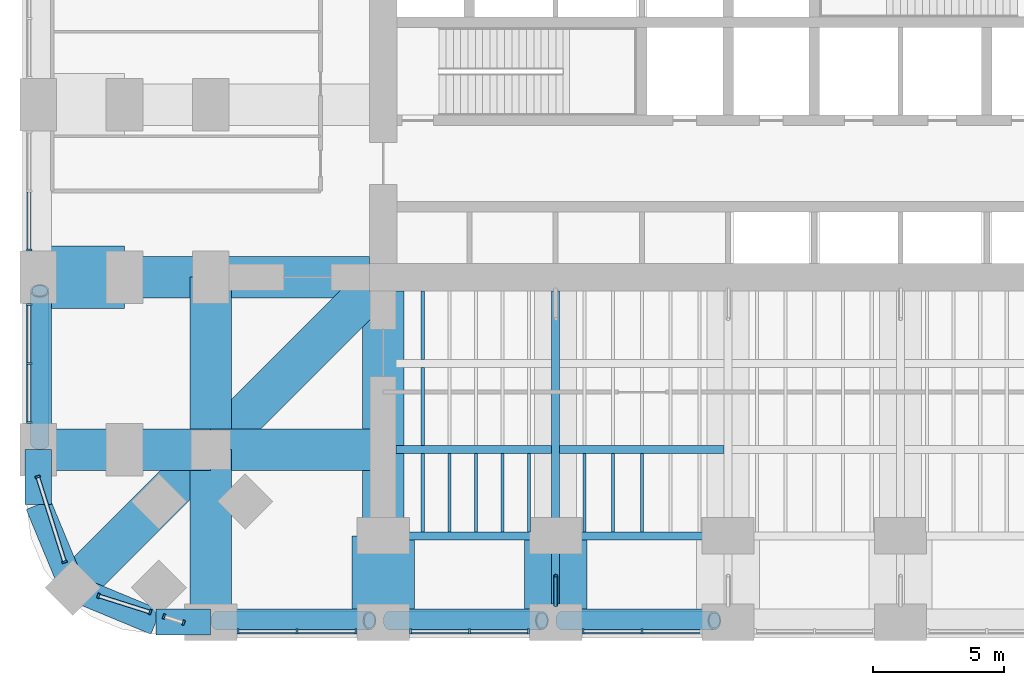
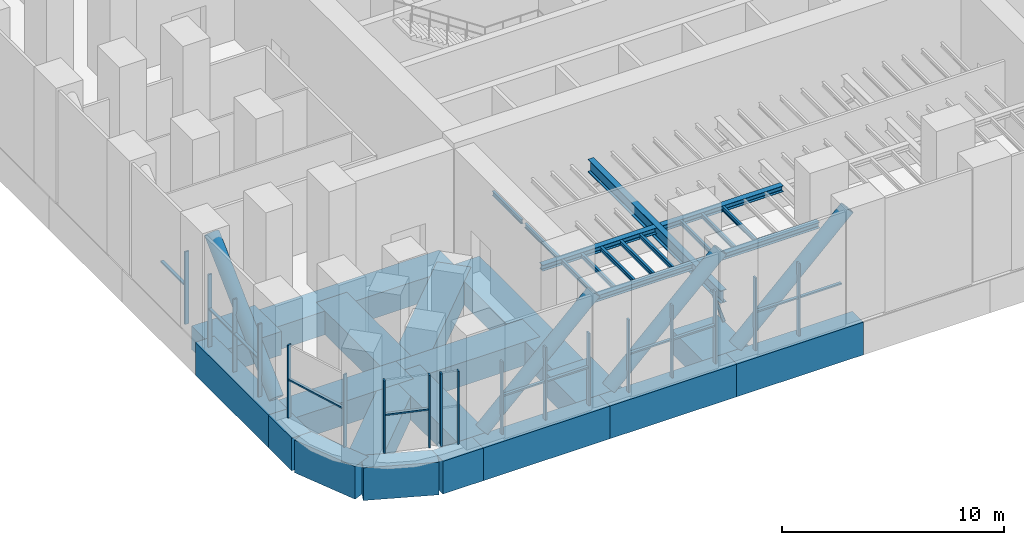
# One storey, part 2 of 17: 34 beams, 34 members, 8 elements without a shape of their own.
"""IFC4 building model written with IfcOpenShell, lengths in metres."""

from ifc_helpers import new_model, si_unit, direction, frame, origin, origin_2d, place, context, subcontext, project, spatial, rectangle, hollow_circle, i_section, extrude, material, material_profile, profile_set, type_object, element, aggregate, save


model = new_model("IFC4")

# Units and contexts
model_context = context("Model", 3, precision=1e-05, world=origin(), true_north=direction((0.0, 1.0)))
body_context = subcontext(model_context, "Body", "Model", "MODEL_VIEW")
ifc_project = project(units=[si_unit("LENGTHUNIT", "METRE"), si_unit("AREAUNIT", "SQUARE_METRE"), si_unit("VOLUMEUNIT", "CUBIC_METRE"), si_unit("PLANEANGLEUNIT", "RADIAN"), si_unit("MASSUNIT", "GRAM", prefix="KILO")], contexts=[model_context])

# Site, building, storey
site_placement = place(None, origin())
site = spatial("IfcSite", under=ifc_project, at=site_placement, CompositionType="ELEMENT")
building_placement = place(site_placement, origin())
building = spatial("IfcBuilding", under=site, at=building_placement, Name="Cobogo Forest Laboratory Tower", CompositionType="ELEMENT")
storey_placement = place(building_placement, frame((0.0, 0.0, 75.89990234375)))
storey = spatial("IfcBuildingStorey", under=building, at=storey_placement, Name="L17", CompositionType="ELEMENT", Elevation=75.89990234375)

# Members
ifc_material_1 = material(Name="Steel S460NH", Category="steel")
ifc_material_profile_1 = material_profile(ifc_material_1, hollow_circle(Radius=0.35546875, WallThickness=0.06005859375, at=origin_2d()), Name="CHS 711x60")
ifc_profile_set_1 = profile_set([ifc_material_profile_1], Name="Steel S460NH")
member_type_1 = type_object("IfcMemberType", Name="Belt truss diagonal CHS 711x60", PredefinedType="BRACE", material=ifc_profile_set_1)
for number, where, z_axis, x_axis, name in (
    (1, (6.85009765625, 0.06005859375, 0.23876953125), (0.723349354665, 0.0, 0.69048223084), (0.0, 1.0, 0.0), "BT1 belt truss diagonal S01 L17"),
    (2, (13.449951171875, 0.06005859375, 0.23876953125), (0.723363796511, 0.0, 0.690467101242), (0.0, 1.0, 0.0), "BT1 belt truss diagonal S02 L17"),
    (3, (20.050048828125, 0.06005859375, 0.23876953125), (0.723349354665, 0.0, 0.69048223084), (0.0, 1.0, 0.0), "BT1 belt truss diagonal S03 L17"),
    (4, (0.06005859375, 6.85009765625, 0.23876953125), (0.0, 0.723349354665, 0.69048223084), (-1.0, 0.0, 0.0), "BT1 belt truss diagonal W19 L17"),
):
    element("IfcMember", number, at=place(storey_placement, frame(where, z_axis=z_axis, x_axis=x_axis)), inside=storey, type_object=member_type_1, Name=name, PredefinedType="BRACE", context=body_context, shape_type="SweptSolid", body=[
        extrude(hollow_circle(Radius=0.35546875, WallThickness=0.06005859375, at=origin_2d()), origin(), (0.0, 0.0, 1.0), 8.0595703125),
    ])

# Curtain wall, members
ifc_material_2 = material(Name="Aluminium curtain wall", Category="aluminium")
curtain_wall_type = type_object("IfcCurtainWallType", Name="CW-P louvred curtain wall, plant floors", PredefinedType="USERDEFINED", material=ifc_material_2)
curtain_wall_1_placement = place(storey_placement, origin())
curtain_wall_1 = element("IfcCurtainWall", 5, at=curtain_wall_1_placement, inside=storey, type_object=curtain_wall_type, Name="Curtain wall 01 L17", ObjectType="LOUVRED CURTAIN WALL", PredefinedType="USERDEFINED")
ifc_material_3 = material(Name="Aluminium mullion", Category="aluminium")
ifc_material_profile_2 = material_profile(ifc_material_3, rectangle(XDim=0.080078125, YDim=0.199951171875, at=origin_2d()), Name="AL 80x200")
ifc_profile_set_2 = profile_set([ifc_material_profile_2], Name="Aluminium mullion")
member_type_2 = type_object("IfcMemberType", Name="MU-3 aluminium louvre mullion 80x200", PredefinedType="MULLION", material=ifc_profile_set_2)
member_1_placement = place(storey_placement, frame((7.639892578125, -0.35009765625, 0.0), z_axis=(0.0, 0.0, 1.0), x_axis=(1.0, 0.0, 0.0)))
member_1 = element("IfcMember", 6, at=member_1_placement, type_object=member_type_2, Name="CW-P mullion 1", PredefinedType="MULLION", context=body_context, shape_type="SweptSolid", body=[
    extrude(rectangle(XDim=0.080078125, YDim=0.199951171875, at=origin_2d()), origin(), (0.0, 0.0, 1.0), 4.0),
])
member_2_placement = place(storey_placement, frame((9.89990234375, -0.35009765625, 0.0), z_axis=(0.0, 0.0, 1.0), x_axis=(1.0, 0.0, 0.0)))
member_2 = element("IfcMember", 7, at=member_2_placement, type_object=member_type_2, Name="CW-P mullion 2", PredefinedType="MULLION", context=body_context, shape_type="SweptSolid", body=[
    extrude(rectangle(XDim=0.080078125, YDim=0.199951171875, at=origin_2d()), origin(), (0.0, 0.0, 1.0), 4.0),
])
member_3_placement = place(storey_placement, frame((12.159912109375, -0.35009765625, 0.0), z_axis=(0.0, 0.0, 1.0), x_axis=(1.0, 0.0, 0.0)))
member_3 = element("IfcMember", 8, at=member_3_placement, type_object=member_type_2, Name="CW-P mullion 3", PredefinedType="MULLION", context=body_context, shape_type="SweptSolid", body=[
    extrude(rectangle(XDim=0.080078125, YDim=0.199951171875, at=origin_2d()), origin(), (0.0, 0.0, 1.0), 4.0),
])

curtain_wall_2_placement = place(storey_placement, origin())
curtain_wall_2 = element("IfcCurtainWall", 9, at=curtain_wall_2_placement, inside=storey, type_object=curtain_wall_type, Name="Curtain wall 02 L17", ObjectType="LOUVRED CURTAIN WALL", PredefinedType="USERDEFINED")
member_4_placement = place(storey_placement, frame((14.239990234375, -0.35009765625, 0.0), z_axis=(0.0, 0.0, 1.0), x_axis=(1.0, 0.0, 0.0)))
member_4 = element("IfcMember", 10, at=member_4_placement, type_object=member_type_2, Name="CW-P mullion 1", PredefinedType="MULLION", context=body_context, shape_type="SweptSolid", body=[
    extrude(rectangle(XDim=0.080078125, YDim=0.199951171875, at=origin_2d()), origin(), (0.0, 0.0, 1.0), 4.0),
])
member_5_placement = place(storey_placement, frame((16.5, -0.35009765625, 0.0), z_axis=(0.0, 0.0, 1.0), x_axis=(1.0, 0.0, 0.0)))
member_5 = element("IfcMember", 11, at=member_5_placement, type_object=member_type_2, Name="CW-P mullion 2", PredefinedType="MULLION", context=body_context, shape_type="SweptSolid", body=[
    extrude(rectangle(XDim=0.080078125, YDim=0.199951171875, at=origin_2d()), origin(), (0.0, 0.0, 1.0), 4.0),
])
member_6_placement = place(storey_placement, frame((18.760009765625, -0.35009765625, 0.0), z_axis=(0.0, 0.0, 1.0), x_axis=(1.0, 0.0, 0.0)))
member_6 = element("IfcMember", 12, at=member_6_placement, type_object=member_type_2, Name="CW-P mullion 3", PredefinedType="MULLION", context=body_context, shape_type="SweptSolid", body=[
    extrude(rectangle(XDim=0.080078125, YDim=0.199951171875, at=origin_2d()), origin(), (0.0, 0.0, 1.0), 4.0),
])

curtain_wall_3_placement = place(storey_placement, origin())
curtain_wall_3 = element("IfcCurtainWall", 13, at=curtain_wall_3_placement, inside=storey, type_object=curtain_wall_type, Name="Curtain wall 03 L17", ObjectType="LOUVRED CURTAIN WALL", PredefinedType="USERDEFINED")
member_7_placement = place(storey_placement, frame((20.840087890625, -0.35009765625, 0.0), z_axis=(0.0, 0.0, 1.0), x_axis=(1.0, 0.0, 0.0)))
member_7 = element("IfcMember", 14, at=member_7_placement, type_object=member_type_2, Name="CW-P mullion 1", PredefinedType="MULLION", context=body_context, shape_type="SweptSolid", body=[
    extrude(rectangle(XDim=0.080078125, YDim=0.199951171875, at=origin_2d()), origin(), (0.0, 0.0, 1.0), 4.0),
])
member_8_placement = place(storey_placement, frame((23.10009765625, -0.35009765625, 0.0), z_axis=(0.0, 0.0, 1.0), x_axis=(1.0, 0.0, 0.0)))
member_8 = element("IfcMember", 15, at=member_8_placement, type_object=member_type_2, Name="CW-P mullion 2", PredefinedType="MULLION", context=body_context, shape_type="SweptSolid", body=[
    extrude(rectangle(XDim=0.080078125, YDim=0.199951171875, at=origin_2d()), origin(), (0.0, 0.0, 1.0), 4.0),
])

# Curtain wall, member
curtain_wall_4_placement = place(storey_placement, origin())
curtain_wall_4 = element("IfcCurtainWall", 16, at=curtain_wall_4_placement, inside=storey, type_object=curtain_wall_type, Name="Curtain wall 30 L17", ObjectType="LOUVRED CURTAIN WALL", PredefinedType="USERDEFINED")
member_9_placement = place(storey_placement, frame((-0.35009765625, 14.239990234375, 0.0), z_axis=(0.0, 0.0, 1.0), x_axis=(0.0, -1.0, 0.0)))
member_9 = element("IfcMember", 17, at=member_9_placement, type_object=member_type_2, Name="CW-P mullion 3", PredefinedType="MULLION", context=body_context, shape_type="SweptSolid", body=[
    extrude(rectangle(XDim=0.080078125, YDim=0.199951171875, at=origin_2d()), origin(), (0.0, 0.0, 1.0), 4.0),
])

# Curtain wall, members
curtain_wall_5_placement = place(storey_placement, origin())
curtain_wall_5 = element("IfcCurtainWall", 18, at=curtain_wall_5_placement, inside=storey, type_object=curtain_wall_type, Name="Curtain wall 31 L17", ObjectType="LOUVRED CURTAIN WALL", PredefinedType="USERDEFINED")
member_10_placement = place(storey_placement, frame((-0.35009765625, 12.159912109375, 0.0), z_axis=(0.0, 0.0, 1.0), x_axis=(0.0, -1.0, 0.0)))
member_10 = element("IfcMember", 19, at=member_10_placement, type_object=member_type_2, Name="CW-P mullion 1", PredefinedType="MULLION", context=body_context, shape_type="SweptSolid", body=[
    extrude(rectangle(XDim=0.080078125, YDim=0.199951171875, at=origin_2d()), origin(), (0.0, 0.0, 1.0), 4.0),
])
member_11_placement = place(storey_placement, frame((-0.35009765625, 9.89990234375, 0.0), z_axis=(0.0, 0.0, 1.0), x_axis=(0.0, -1.0, 0.0)))
member_11 = element("IfcMember", 20, at=member_11_placement, type_object=member_type_2, Name="CW-P mullion 2", PredefinedType="MULLION", context=body_context, shape_type="SweptSolid", body=[
    extrude(rectangle(XDim=0.080078125, YDim=0.199951171875, at=origin_2d()), origin(), (0.0, 0.0, 1.0), 4.0),
])
member_12_placement = place(storey_placement, frame((-0.35009765625, 7.639892578125, 0.0), z_axis=(0.0, 0.0, 1.0), x_axis=(0.0, -1.0, 0.0)))
member_12 = element("IfcMember", 21, at=member_12_placement, type_object=member_type_2, Name="CW-P mullion 3", PredefinedType="MULLION", context=body_context, shape_type="SweptSolid", body=[
    extrude(rectangle(XDim=0.080078125, YDim=0.199951171875, at=origin_2d()), origin(), (0.0, 0.0, 1.0), 4.0),
])

curtain_wall_6_placement = place(storey_placement, origin())
curtain_wall_6 = element("IfcCurtainWall", 22, at=curtain_wall_6_placement, inside=storey, type_object=curtain_wall_type, Name="Curtain wall 32 L17", ObjectType="LOUVRED CURTAIN WALL", PredefinedType="USERDEFINED")
member_13_placement = place(storey_placement, frame((-0.022216796875, 5.561767578125, 0.0), z_axis=(0.0, 0.0, 1.0), x_axis=(0.301135635976, -0.953581317322, 0.0)))
member_13 = element("IfcMember", 23, at=member_13_placement, type_object=member_type_2, Name="CW-P mullion 1", PredefinedType="MULLION", context=body_context, shape_type="SweptSolid", body=[
    extrude(rectangle(XDim=0.080078125, YDim=0.199951171875, at=origin_2d()), origin(), (0.0, 0.0, 1.0), 4.0),
])
member_14_placement = place(storey_placement, frame((1.00732421875, 2.302001953125, 0.0), z_axis=(0.0, 0.0, 1.0), x_axis=(0.301135635976, -0.953581317322, 0.0)))
member_14 = element("IfcMember", 24, at=member_14_placement, type_object=member_type_2, Name="CW-P mullion 2", PredefinedType="MULLION", context=body_context, shape_type="SweptSolid", body=[
    extrude(rectangle(XDim=0.080078125, YDim=0.199951171875, at=origin_2d()), origin(), (0.0, 0.0, 1.0), 4.0),
])

curtain_wall_7_placement = place(storey_placement, origin())
curtain_wall_7 = element("IfcCurtainWall", 25, at=curtain_wall_7_placement, inside=storey, type_object=curtain_wall_type, Name="Curtain wall 33 L17", ObjectType="LOUVRED CURTAIN WALL", PredefinedType="USERDEFINED")
member_15_placement = place(storey_placement, frame((2.302001953125, 1.00732421875, 0.0), z_axis=(0.0, 0.0, 1.0), x_axis=(0.953581348836, -0.301135536184, 0.0)))
member_15 = element("IfcMember", 26, at=member_15_placement, type_object=member_type_2, Name="CW-P mullion 1", PredefinedType="MULLION", context=body_context, shape_type="SweptSolid", body=[
    extrude(rectangle(XDim=0.080078125, YDim=0.199951171875, at=origin_2d()), origin(), (0.0, 0.0, 1.0), 4.0),
])
member_16_placement = place(storey_placement, frame((4.2841796875, 0.38134765625, 0.0), z_axis=(0.0, 0.0, 1.0), x_axis=(0.953581348836, -0.301135536184, 0.0)))
member_16 = element("IfcMember", 27, at=member_16_placement, type_object=member_type_2, Name="CW-P mullion 2", PredefinedType="MULLION", context=body_context, shape_type="SweptSolid", body=[
    extrude(rectangle(XDim=0.080078125, YDim=0.199951171875, at=origin_2d()), origin(), (0.0, 0.0, 1.0), 4.0),
])

curtain_wall_8_placement = place(storey_placement, origin())
curtain_wall_8 = element("IfcCurtainWall", 28, at=curtain_wall_8_placement, inside=storey, type_object=curtain_wall_type, Name="Curtain wall 34 L17", ObjectType="LOUVRED CURTAIN WALL", PredefinedType="USERDEFINED")
member_17_placement = place(storey_placement, frame((4.81005859375, 0.21533203125, 0.0), z_axis=(0.0, 0.0, 1.0), x_axis=(0.953581151143, -0.301136162199, 0.0)))
member_17 = element("IfcMember", 29, at=member_17_placement, type_object=member_type_2, Name="CW-P mullion 1", PredefinedType="MULLION", context=body_context, shape_type="SweptSolid", body=[
    extrude(rectangle(XDim=0.080078125, YDim=0.199951171875, at=origin_2d()), origin(), (0.0, 0.0, 1.0), 4.0),
])
member_18_placement = place(storey_placement, frame((5.561767578125, -0.022216796875, 0.0), z_axis=(0.0, 0.0, 1.0), x_axis=(0.953581151143, -0.301136162199, 0.0)))
member_18 = element("IfcMember", 30, at=member_18_placement, type_object=member_type_2, Name="CW-P mullion 2", PredefinedType="MULLION", context=body_context, shape_type="SweptSolid", body=[
    extrude(rectangle(XDim=0.080078125, YDim=0.199951171875, at=origin_2d()), origin(), (0.0, 0.0, 1.0), 4.0),
])
aggregate(curtain_wall_8, [member_17, member_18])

# Beams
ifc_material_4 = material(Name="Concrete HA-40 (C40/50)", Category="concrete")
ifc_material_profile_3 = material_profile(ifc_material_4, rectangle(XDim=1.60009765625, YDim=1.300048828125, at=origin_2d()), Name="RC 1600x1300")
ifc_profile_set_3 = profile_set([ifc_material_profile_3], Name="Concrete HA-40 (C40/50)")
beam_type_1 = type_object("IfcBeamType", Name="Plant and roof garden wide beam 1600x1300", PredefinedType="BEAM", material=ifc_profile_set_3)
for number, where, z_axis, x_axis, name in (
    (31, (13.199951171875, 12.675048828125, -1.0), (0.0, -1.0, 0.0), (1.0, 0.0, 0.0), "RB4 R-3-S L17"),
    (32, (12.675048828125, 13.199951171875, -1.0), (-1.0, 0.0, 0.0), (0.0, -1.0, 0.0), "RB4 R-C-W L17"),
):
    element("IfcBeam", number, at=place(storey_placement, frame(where, z_axis=z_axis, x_axis=x_axis)), inside=storey, type_object=beam_type_1, Name=name, PredefinedType="BEAM", context=body_context, shape_type="SweptSolid", body=[
        extrude(rectangle(XDim=1.60009765625, YDim=1.300048828125, at=origin_2d()), origin(), (0.0, 0.0, 1.0), 9.375),
    ])
beam_1_placement = place(storey_placement, frame((6.60009765625, 0.0, -1.0), z_axis=(0.0, 1.0, 0.0), x_axis=(-1.0, 0.0, 0.0)))
element("IfcBeam", 33, at=beam_1_placement, inside=storey, type_object=beam_type_1, Name="RB4 G-SW-XF L17", PredefinedType="BEAM", context=body_context, shape_type="SweptSolid", body=[
    extrude(rectangle(XDim=1.60009765625, YDim=1.300048828125, at=origin_2d()), origin(), (0.0, 0.0, 1.0), 6.60009765625),
])
beam_2_placement = place(storey_placement, frame((6.60009765625, 6.60009765625, -1.0), z_axis=(0.0, 1.0, 0.0), x_axis=(-1.0, 0.0, 0.0)))
element("IfcBeam", 34, at=beam_2_placement, inside=storey, type_object=beam_type_1, Name="RB4 G-SW-XC L17", PredefinedType="BEAM", context=body_context, shape_type="SweptSolid", body=[
    extrude(rectangle(XDim=1.60009765625, YDim=1.300048828125, at=origin_2d()), origin(), (0.0, 0.0, 1.0), 6.599853515625),
])
beam_3_placement = place(storey_placement, frame((0.0, 6.60009765625, -1.0), z_axis=(1.0, 0.0, 0.0), x_axis=(0.0, 1.0, 0.0)))
element("IfcBeam", 35, at=beam_3_placement, inside=storey, type_object=beam_type_1, Name="RB4 G-SW-YF L17", PredefinedType="BEAM", context=body_context, shape_type="SweptSolid", body=[
    extrude(rectangle(XDim=1.60009765625, YDim=1.300048828125, at=origin_2d()), origin(), (0.0, 0.0, 1.0), 6.60009765625),
])
beam_4_placement = place(storey_placement, frame((6.60009765625, 6.60009765625, -1.0), z_axis=(1.0, 0.0, 0.0), x_axis=(0.0, 1.0, 0.0)))
element("IfcBeam", 36, at=beam_4_placement, inside=storey, type_object=beam_type_1, Name="RB4 G-SW-YC L17", PredefinedType="BEAM", context=body_context, shape_type="SweptSolid", body=[
    extrude(rectangle(XDim=1.60009765625, YDim=1.300048828125, at=origin_2d()), origin(), (0.0, 0.0, 1.0), 6.599853515625),
])
beam_5_placement = place(storey_placement, frame((1.318115234375, 1.318115234375, -1.0), z_axis=(0.707106781187, 0.707106781187, 0.0), x_axis=(-0.707106781187, 0.707106781187, 0.0)))
element("IfcBeam", 37, at=beam_5_placement, inside=storey, type_object=beam_type_1, Name="RB4 G-SW-D1 L17", PredefinedType="BEAM", context=body_context, shape_type="SweptSolid", body=[
    extrude(rectangle(XDim=1.60009765625, YDim=1.300048828125, at=origin_2d()), origin(), (0.0, 0.0, 1.0), 7.469970703125),
])
beam_6_placement = place(storey_placement, frame((6.60009765625, 6.60009765625, -1.0), z_axis=(0.707106781187, 0.707106781187, 0.0), x_axis=(-0.707106781187, 0.707106781187, 0.0)))
element("IfcBeam", 38, at=beam_6_placement, inside=storey, type_object=beam_type_1, Name="RB4 G-SW-D2 L17", PredefinedType="BEAM", context=body_context, shape_type="SweptSolid", body=[
    extrude(rectangle(XDim=1.60009765625, YDim=1.300048828125, at=origin_2d()), origin(), (0.0, 0.0, 1.0), 8.59130859375),
])
ifc_material_5 = material(Name="Concrete HA-50 (C50/60)", Category="concrete")
ifc_material_profile_4 = material_profile(ifc_material_5, rectangle(XDim=2.39990234375, YDim=1.300048828125, at=origin_2d()), Name="RC 2400x1300")
ifc_profile_set_4 = profile_set([ifc_material_profile_4], Name="Concrete HA-50 (C50/60)")
beam_type_2 = type_object("IfcBeamType", Name="Plant floor end-bay beam 2400x1300", PredefinedType="BEAM", material=ifc_profile_set_4)
for number, where, z_axis, x_axis, name in (
    (39, (13.199951171875, 0.0, -1.0), (0.0, 1.0, 0.0), (-1.0, 0.0, 0.0), "RB6 R-3-S-X L17"),
    (40, (19.800048828125, 0.0, -1.0), (0.0, 1.0, 0.0), (-1.0, 0.0, 0.0), "RB6 R-4-S-X L17"),
    (41, (0.0, 13.199951171875, -1.0), (1.0, 0.0, 0.0), (0.0, 1.0, 0.0), "RB6 R-C-W-X L17"),
):
    element("IfcBeam", number, at=place(storey_placement, frame(where, z_axis=z_axis, x_axis=x_axis)), inside=storey, type_object=beam_type_2, Name=name, PredefinedType="BEAM", context=body_context, shape_type="SweptSolid", body=[
        extrude(rectangle(XDim=2.39990234375, YDim=1.300048828125, at=origin_2d()), origin(), (0.0, 0.0, 1.0), 3.300048828125),
    ])
ifc_material_profile_5 = material_profile(ifc_material_4, rectangle(XDim=1.0, YDim=1.800048828125, at=origin_2d()), Name="RC 1000x1800")
ifc_profile_set_5 = profile_set([ifc_material_profile_5], Name="Concrete HA-40 (C40/50)")
beam_type_3 = type_object("IfcBeamType", Name="Plant floor perimeter girder 1000x1800", PredefinedType="BEAM", material=ifc_profile_set_5)
beam_7_placement = place(storey_placement, frame((6.60009765625, 0.0, -1.25), z_axis=(1.0, 0.0, 0.0), x_axis=(0.0, 1.0, 0.0)))
element("IfcBeam", 42, at=beam_7_placement, inside=storey, type_object=beam_type_3, Name="TG1 E-S1 L17", PredefinedType="BEAM", context=body_context, shape_type="SweptSolid", body=[
    extrude(rectangle(XDim=1.0, YDim=1.800048828125, at=origin_2d()), origin(), (0.0, 0.0, 1.0), 6.599853515625),
])
beam_8_placement = place(storey_placement, frame((13.199951171875, 0.0, -1.25), z_axis=(1.0, 0.0, 0.0), x_axis=(0.0, 1.0, 0.0)))
element("IfcBeam", 43, at=beam_8_placement, inside=storey, type_object=beam_type_3, Name="TG1 E-S2 L17", PredefinedType="BEAM", context=body_context, shape_type="SweptSolid", body=[
    extrude(rectangle(XDim=1.0, YDim=1.800048828125, at=origin_2d()), origin(), (0.0, 0.0, 1.0), 6.60009765625),
])
for number, where, z_axis, x_axis, name in (
    (44, (19.800048828125, 0.0, -1.25), (1.0, 0.0, 0.0), (0.0, 1.0, 0.0), "TG1 E-S3 L17"),
    (45, (0.0, 6.60009765625, -1.25), (0.0, 1.0, 0.0), (-1.0, 0.0, 0.0), "TG1 E-W1 L17"),
):
    element("IfcBeam", number, at=place(storey_placement, frame(where, z_axis=z_axis, x_axis=x_axis)), inside=storey, type_object=beam_type_3, Name=name, PredefinedType="BEAM", context=body_context, shape_type="SweptSolid", body=[
        extrude(rectangle(XDim=1.0, YDim=1.800048828125, at=origin_2d()), origin(), (0.0, 0.0, 1.0), 6.599853515625),
    ])
beam_9_placement = place(storey_placement, frame((6.60009765625, 0.0, -1.25), z_axis=(-1.0, 0.0, 0.0), x_axis=(0.0, -1.0, 0.0)))
element("IfcBeam", 46, at=beam_9_placement, inside=storey, type_object=beam_type_3, Name="TG1 E-SWS1 L17", PredefinedType="BEAM", context=body_context, shape_type="SweptSolid", body=[
    extrude(rectangle(XDim=1.0, YDim=1.800048828125, at=origin_2d()), origin(), (0.0, 0.0, 1.0), 2.10009765625),
])
beam_10_placement = place(storey_placement, frame((4.5, 0.0, -1.25), z_axis=(-0.923865631356, 0.382716990999, 0.0), x_axis=(-0.382716990999, -0.923865631356, 0.0)))
element("IfcBeam", 47, at=beam_10_placement, inside=storey, type_object=beam_type_3, Name="TG1 E-SWS2 L17", PredefinedType="BEAM", context=body_context, shape_type="SweptSolid", body=[
    extrude(rectangle(XDim=1.0, YDim=1.800048828125, at=origin_2d()), origin(), (0.0, 0.0, 1.0), 3.444091796875),
])
beam_11_placement = place(storey_placement, frame((0.0, 6.60009765625, -1.25), z_axis=(0.0, -1.0, 0.0), x_axis=(1.0, 0.0, 0.0)))
element("IfcBeam", 48, at=beam_11_placement, inside=storey, type_object=beam_type_3, Name="TG1 E-SWW1 L17", PredefinedType="BEAM", context=body_context, shape_type="SweptSolid", body=[
    extrude(rectangle(XDim=1.0, YDim=1.800048828125, at=origin_2d()), origin(), (0.0, 0.0, 1.0), 2.10009765625),
])
beam_12_placement = place(storey_placement, frame((0.0, 4.5, -1.25), z_axis=(0.382716990999, -0.923865631356, 0.0), x_axis=(0.923865631356, 0.382716990999, 0.0)))
element("IfcBeam", 49, at=beam_12_placement, inside=storey, type_object=beam_type_3, Name="TG1 E-SWW2 L17", PredefinedType="BEAM", context=body_context, shape_type="SweptSolid", body=[
    extrude(rectangle(XDim=1.0, YDim=1.800048828125, at=origin_2d()), origin(), (0.0, 0.0, 1.0), 3.444091796875),
])

# Member
ifc_material_6 = material(Name="Steel S355", Category="steel")
ifc_material_profile_6 = material_profile(ifc_material_6, hollow_circle(Radius=0.084228515625, WallThickness=0.008056640625, at=origin_2d()), Name="CHS 168.3x8")
ifc_profile_set_6 = profile_set([ifc_material_profile_6], Name="Steel S355")
member_type_3 = type_object("IfcMemberType", Name="Plant knee brace CHS 168.3x8", PredefinedType="BRACE", material=ifc_profile_set_6)
member_19_placement = place(storey_placement, frame((19.800048828125, 0.640380859375, 1.300048828125), z_axis=(0.0, 0.727221301203, 0.686403073329), x_axis=(-1.0, 0.0, 0.0)))
element("IfcMember", 50, at=member_19_placement, inside=storey, type_object=member_type_3, Name="PX1 AHU-S knee brace 4-1 L17", PredefinedType="BRACE", context=body_context, shape_type="SweptSolid", body=[
    extrude(hollow_circle(Radius=0.084228515625, WallThickness=0.008056640625, at=origin_2d()), origin(), (0.0, 0.0, 1.0), 1.56103515625),
])

# Beams
ifc_material_profile_7 = material_profile(ifc_material_6, i_section(OverallWidth=0.300048828125, OverallDepth=0.330078125, WebThickness=0.009521484375, FlangeThickness=0.0166015625, FilletRadius=0.027099609375, at=origin_2d()), Name="HEA 340")
ifc_profile_set_7 = profile_set([ifc_material_profile_7], Name="Steel S355")
beam_type_4 = type_object("IfcBeamType", Name="Plant platform beam HEA 340", PredefinedType="BEAM", material=ifc_profile_set_7)
beam_13_placement = place(storey_placement, frame((13.699951171875, 3.300048828125, 2.835205078125), z_axis=(1.0, 0.0, 0.0), x_axis=(0.0, 1.0, 0.0)))
element("IfcBeam", 51, at=beam_13_placement, inside=storey, type_object=beam_type_4, Name="PB1 AHU-S platform beam 1 at 3300 L17", PredefinedType="BEAM", context=body_context, shape_type="SweptSolid", body=[
    extrude(i_section(OverallWidth=0.300048828125, OverallDepth=0.330078125, WebThickness=0.009521484375, FlangeThickness=0.0166015625, FilletRadius=0.027099609375, at=origin_2d()), origin(), (0.0, 0.0, 1.0), 5.949951171875),
])
beam_14_placement = place(storey_placement, frame((19.949951171875, 3.300048828125, 2.835205078125), z_axis=(1.0, 0.0, 0.0), x_axis=(0.0, 1.0, 0.0)))
element("IfcBeam", 52, at=beam_14_placement, inside=storey, type_object=beam_type_4, Name="PB1 AHU-S platform beam 2 at 3300 L17", PredefinedType="BEAM", context=body_context, shape_type="SweptSolid", body=[
    extrude(i_section(OverallWidth=0.300048828125, OverallDepth=0.330078125, WebThickness=0.009521484375, FlangeThickness=0.0166015625, FilletRadius=0.027099609375, at=origin_2d()), origin(), (0.0, 0.0, 1.0), 6.300048828125),
])
beam_15_placement = place(storey_placement, frame((13.699951171875, 6.60009765625, 2.835205078125), z_axis=(1.0, 0.0, 0.0), x_axis=(0.0, 1.0, 0.0)))
element("IfcBeam", 53, at=beam_15_placement, inside=storey, type_object=beam_type_4, Name="PB1 AHU-S platform beam 1 at 6600 L17", PredefinedType="BEAM", context=body_context, shape_type="SweptSolid", body=[
    extrude(i_section(OverallWidth=0.300048828125, OverallDepth=0.330078125, WebThickness=0.009521484375, FlangeThickness=0.0166015625, FilletRadius=0.027099609375, at=origin_2d()), origin(), (0.0, 0.0, 1.0), 5.949951171875),
])
beam_16_placement = place(storey_placement, frame((19.949951171875, 6.60009765625, 2.835205078125), z_axis=(1.0, 0.0, 0.0), x_axis=(0.0, 1.0, 0.0)))
element("IfcBeam", 54, at=beam_16_placement, inside=storey, type_object=beam_type_4, Name="PB1 AHU-S platform beam 2 at 6600 L17", PredefinedType="BEAM", context=body_context, shape_type="SweptSolid", body=[
    extrude(i_section(OverallWidth=0.300048828125, OverallDepth=0.330078125, WebThickness=0.009521484375, FlangeThickness=0.0166015625, FilletRadius=0.027099609375, at=origin_2d()), origin(), (0.0, 0.0, 1.0), 6.300048828125),
])
ifc_material_profile_8 = material_profile(ifc_material_6, i_section(OverallWidth=0.300048828125, OverallDepth=0.699951171875, WebThickness=0.01708984375, FlangeThickness=0.031982421875, FilletRadius=0.027099609375, at=origin_2d()), Name="HEB 700")
ifc_profile_set_8 = profile_set([ifc_material_profile_8], Name="Steel S355")
beam_type_5 = type_object("IfcBeamType", Name="Plant platform girder HEB 700", PredefinedType="BEAM", material=ifc_profile_set_8)
beam_17_placement = place(storey_placement, frame((19.800048828125, 0.699951171875, 2.650146484375), z_axis=(0.0, 1.0, 0.0), x_axis=(-1.0, 0.0, 0.0)))
element("IfcBeam", 55, at=beam_17_placement, inside=storey, type_object=beam_type_5, Name="PG1 AHU-S girder 4 L17", PredefinedType="BEAM", context=body_context, shape_type="SweptSolid", body=[
    extrude(i_section(OverallWidth=0.300048828125, OverallDepth=0.699951171875, WebThickness=0.01708984375, FlangeThickness=0.031982421875, FilletRadius=0.027099609375, at=origin_2d()), origin(), (0.0, 0.0, 1.0), 11.97509765625),
])
ifc_material_profile_9 = material_profile(ifc_material_6, i_section(OverallWidth=0.1201171875, OverallDepth=0.239990234375, WebThickness=0.006103515625, FlangeThickness=0.009765625, FilletRadius=0.014892578125, at=origin_2d()), Name="IPE 240")
ifc_profile_set_9 = profile_set([ifc_material_profile_9], Name="Steel S355")
beam_type_6 = type_object("IfcBeamType", Name="Plant platform joist IPE 240", PredefinedType="JOIST", material=ifc_profile_set_9)
for number, where, z_axis, x_axis, name in (
    (56, (14.716552734375, 3.449951171875, 2.880126953125), (0.0, 1.0, 0.0), (-1.0, 0.0, 0.0), "PJ1 AHU-S joist 1.1 row 1 L17"),
    (57, (14.716552734375, 6.75, 2.880126953125), (0.0, 1.0, 0.0), (-1.0, 0.0, 0.0), "PJ1 AHU-S joist 1.1 row 2 L17"),
):
    element("IfcBeam", number, at=place(storey_placement, frame(where, z_axis=z_axis, x_axis=x_axis)), inside=storey, type_object=beam_type_6, Name=name, PredefinedType="JOIST", context=body_context, shape_type="SweptSolid", body=[
        extrude(i_section(OverallWidth=0.1201171875, OverallDepth=0.239990234375, WebThickness=0.006103515625, FlangeThickness=0.009765625, FilletRadius=0.014892578125, at=origin_2d()), origin(), (0.0, 0.0, 1.0), 3.0),
    ])
beam_18_placement = place(storey_placement, frame((14.716552734375, 10.050048828125, 2.880126953125), z_axis=(0.0, 1.0, 0.0), x_axis=(-1.0, 0.0, 0.0)))
element("IfcBeam", 58, at=beam_18_placement, inside=storey, type_object=beam_type_6, Name="PJ1 AHU-S joist 1.1 row 3 L17", PredefinedType="JOIST", context=body_context, shape_type="SweptSolid", body=[
    extrude(i_section(OverallWidth=0.1201171875, OverallDepth=0.239990234375, WebThickness=0.006103515625, FlangeThickness=0.009765625, FilletRadius=0.014892578125, at=origin_2d()), origin(), (0.0, 0.0, 1.0), 2.625),
])
for number, where, z_axis, x_axis, name in (
    (59, (15.7333984375, 3.449951171875, 2.880126953125), (0.0, 1.0, 0.0), (-1.0, 0.0, 0.0), "PJ1 AHU-S joist 1.2 row 1 L17"),
    (60, (16.75, 3.449951171875, 2.880126953125), (0.0, 1.0, 0.0), (-1.0, 0.0, 0.0), "PJ1 AHU-S joist 1.3 row 1 L17"),
    (61, (17.7666015625, 3.449951171875, 2.880126953125), (0.0, 1.0, 0.0), (-1.0, 0.0, 0.0), "PJ1 AHU-S joist 1.4 row 1 L17"),
    (62, (18.783447265625, 3.449951171875, 2.880126953125), (0.0, 1.0, 0.0), (-1.0, 0.0, 0.0), "PJ1 AHU-S joist 1.5 row 1 L17"),
    (63, (20.89990234375, 3.449951171875, 2.880126953125), (0.0, 1.0, 0.0), (-1.0, 0.0, 0.0), "PJ1 AHU-S joist 2.1 row 1 L17"),
    (64, (22.0, 3.449951171875, 2.880126953125), (0.0, 1.0, 0.0), (-1.0, 0.0, 0.0), "PJ1 AHU-S joist 2.2 row 1 L17"),
    (65, (23.10009765625, 3.449951171875, 2.880126953125), (0.0, 1.0, 0.0), (-1.0, 0.0, 0.0), "PJ1 AHU-S joist 2.3 row 1 L17"),
):
    element("IfcBeam", number, at=place(storey_placement, frame(where, z_axis=z_axis, x_axis=x_axis)), inside=storey, type_object=beam_type_6, Name=name, PredefinedType="JOIST", context=body_context, shape_type="SweptSolid", body=[
        extrude(i_section(OverallWidth=0.1201171875, OverallDepth=0.239990234375, WebThickness=0.006103515625, FlangeThickness=0.009765625, FilletRadius=0.014892578125, at=origin_2d()), origin(), (0.0, 0.0, 1.0), 3.0),
    ])

# Member
ifc_material_7 = material(Name="Aluminium transom", Category="aluminium")
ifc_material_profile_10 = material_profile(ifc_material_7, rectangle(XDim=0.14990234375, YDim=0.080078125, at=origin_2d()), Name="AL 80x150")
ifc_profile_set_10 = profile_set([ifc_material_profile_10], Name="Aluminium transom")
member_type_4 = type_object("IfcMemberType", Name="TR-2 aluminium louvre transom 80x150", PredefinedType="USERDEFINED", material=ifc_profile_set_10)
member_20_placement = place(storey_placement, frame((7.679931640625, -0.35009765625, 2.10009765625), z_axis=(1.0, 0.0, 0.0), x_axis=(0.0, 1.0, 0.0)))
member_20 = element("IfcMember", 66, at=member_20_placement, type_object=member_type_4, Name="CW-P transom 1.1", ObjectType="TRANSOM", PredefinedType="USERDEFINED", context=body_context, shape_type="SweptSolid", body=[
    extrude(rectangle(XDim=0.14990234375, YDim=0.080078125, at=origin_2d()), origin(), (0.0, 0.0, 1.0), 2.18017578125),
])

member_21_placement = place(storey_placement, frame((9.93994140625, -0.35009765625, 2.10009765625), z_axis=(1.0, 0.0, 0.0), x_axis=(0.0, 1.0, 0.0)))
member_21 = element("IfcMember", 67, at=member_21_placement, type_object=member_type_4, Name="CW-P transom 2.1", ObjectType="TRANSOM", PredefinedType="USERDEFINED", context=body_context, shape_type="SweptSolid", body=[
    extrude(rectangle(XDim=0.14990234375, YDim=0.080078125, at=origin_2d()), origin(), (0.0, 0.0, 1.0), 2.18017578125),
])

aggregate(curtain_wall_1, [member_1, member_2, member_3, member_20, member_21])

member_22_placement = place(storey_placement, frame((14.280029296875, -0.35009765625, 2.10009765625), z_axis=(1.0, 0.0, 0.0), x_axis=(0.0, 1.0, 0.0)))
member_22 = element("IfcMember", 68, at=member_22_placement, type_object=member_type_4, Name="CW-P transom 1.1", ObjectType="TRANSOM", PredefinedType="USERDEFINED", context=body_context, shape_type="SweptSolid", body=[
    extrude(rectangle(XDim=0.14990234375, YDim=0.080078125, at=origin_2d()), origin(), (0.0, 0.0, 1.0), 2.179931640625),
])

member_23_placement = place(storey_placement, frame((16.5400390625, -0.35009765625, 2.10009765625), z_axis=(1.0, 0.0, 0.0), x_axis=(0.0, 1.0, 0.0)))
member_23 = element("IfcMember", 69, at=member_23_placement, type_object=member_type_4, Name="CW-P transom 2.1", ObjectType="TRANSOM", PredefinedType="USERDEFINED", context=body_context, shape_type="SweptSolid", body=[
    extrude(rectangle(XDim=0.14990234375, YDim=0.080078125, at=origin_2d()), origin(), (0.0, 0.0, 1.0), 2.179931640625),
])

aggregate(curtain_wall_2, [member_4, member_5, member_6, member_22, member_23])

member_24_placement = place(storey_placement, frame((20.8798828125, -0.35009765625, 2.10009765625), z_axis=(1.0, 0.0, 0.0), x_axis=(0.0, 1.0, 0.0)))
member_24 = element("IfcMember", 70, at=member_24_placement, type_object=member_type_4, Name="CW-P transom 1.1", ObjectType="TRANSOM", PredefinedType="USERDEFINED", context=body_context, shape_type="SweptSolid", body=[
    extrude(rectangle(XDim=0.14990234375, YDim=0.080078125, at=origin_2d()), origin(), (0.0, 0.0, 1.0), 2.18017578125),
])

member_25_placement = place(storey_placement, frame((23.139892578125, -0.35009765625, 2.10009765625), z_axis=(1.0, 0.0, 0.0), x_axis=(0.0, 1.0, 0.0)))
member_25 = element("IfcMember", 71, at=member_25_placement, type_object=member_type_4, Name="CW-P transom 2.1", ObjectType="TRANSOM", PredefinedType="USERDEFINED", context=body_context, shape_type="SweptSolid", body=[
    extrude(rectangle(XDim=0.14990234375, YDim=0.080078125, at=origin_2d()), origin(), (0.0, 0.0, 1.0), 2.18017578125),
])

aggregate(curtain_wall_3, [member_7, member_8, member_24, member_25])

member_26_placement = place(storey_placement, frame((-0.35009765625, 16.4599609375, 2.10009765625), z_axis=(0.0, -1.0, 0.0), x_axis=(1.0, 0.0, 0.0)))
member_26 = element("IfcMember", 72, at=member_26_placement, type_object=member_type_4, Name="CW-P transom 2.1", ObjectType="TRANSOM", PredefinedType="USERDEFINED", context=body_context, shape_type="SweptSolid", body=[
    extrude(rectangle(XDim=0.14990234375, YDim=0.080078125, at=origin_2d()), origin(), (0.0, 0.0, 1.0), 2.179931640625),
])

aggregate(curtain_wall_4, [member_9, member_26])

member_27_placement = place(storey_placement, frame((-0.35009765625, 12.1201171875, 2.10009765625), z_axis=(0.0, -1.0, 0.0), x_axis=(1.0, 0.0, 0.0)))
member_27 = element("IfcMember", 73, at=member_27_placement, type_object=member_type_4, Name="CW-P transom 1.1", ObjectType="TRANSOM", PredefinedType="USERDEFINED", context=body_context, shape_type="SweptSolid", body=[
    extrude(rectangle(XDim=0.14990234375, YDim=0.080078125, at=origin_2d()), origin(), (0.0, 0.0, 1.0), 2.18017578125),
])

member_28_placement = place(storey_placement, frame((-0.35009765625, 9.860107421875, 2.10009765625), z_axis=(0.0, -1.0, 0.0), x_axis=(1.0, 0.0, 0.0)))
member_28 = element("IfcMember", 74, at=member_28_placement, type_object=member_type_4, Name="CW-P transom 2.1", ObjectType="TRANSOM", PredefinedType="USERDEFINED", context=body_context, shape_type="SweptSolid", body=[
    extrude(rectangle(XDim=0.14990234375, YDim=0.080078125, at=origin_2d()), origin(), (0.0, 0.0, 1.0), 2.18017578125),
])

aggregate(curtain_wall_5, [member_10, member_11, member_12, member_27, member_28])

member_29_placement = place(storey_placement, frame((-0.010009765625, 5.523681640625, 2.10009765625), z_axis=(0.301138367523, -0.95358045471, 0.0), x_axis=(0.95358045471, 0.301138367523, 0.0)))
member_29 = element("IfcMember", 75, at=member_29_placement, type_object=member_type_4, Name="CW-P transom 1.1", ObjectType="TRANSOM", PredefinedType="USERDEFINED", context=body_context, shape_type="SweptSolid", body=[
    extrude(rectangle(XDim=0.14990234375, YDim=0.080078125, at=origin_2d()), origin(), (0.0, 0.0, 1.0), 3.338623046875),
])

aggregate(curtain_wall_6, [member_13, member_14, member_29])

member_30_placement = place(storey_placement, frame((2.340087890625, 0.995361328125, 2.10009765625), z_axis=(0.953549427983, -0.301236598694, 0.0), x_axis=(0.301236598694, 0.953549427983, 0.0)))
member_30 = element("IfcMember", 76, at=member_30_placement, type_object=member_type_4, Name="CW-P transom 1.1", ObjectType="TRANSOM", PredefinedType="USERDEFINED", context=body_context, shape_type="SweptSolid", body=[
    extrude(rectangle(XDim=0.14990234375, YDim=0.080078125, at=origin_2d()), origin(), (0.0, 0.0, 1.0), 1.99853515625),
])

aggregate(curtain_wall_7, [member_15, member_16, member_30])

save(model, "model.ifc")
